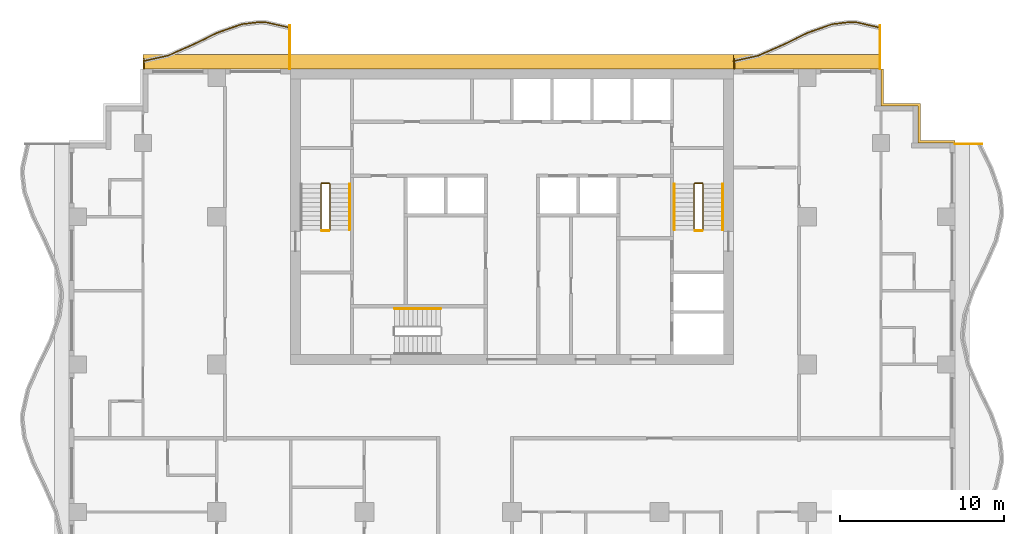
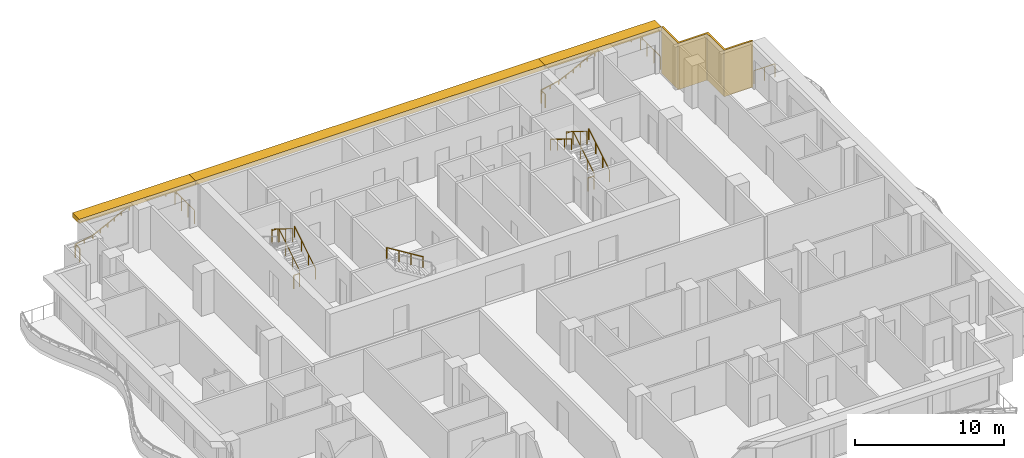
# One storey, part 11 of 11: 15 railings, 4 shading devices.
"""IFC4 building model written with IfcOpenShell, lengths in metres."""

import ifcopenshell
import ifcopenshell.guid

model = None  # the IFC model being written
_history = None  # IfcOwnerHistory: only IFC2X3 demands one
_inside = {}  # id of a spatial element -> (the spatial element, [elements in it])
_under = {}  # id of a project, library or spatial element -> (it, [spatial elements below it])
_declared = {}  # id of a project -> (the project, [libraries it declares])
_typed = {}  # id of a type object -> (the type object, [elements of that type])
_made_of = {}  # id of a material, layer set ... -> (it, [elements and type objects made of it])


def new_model(schema):
    """Start an empty IFC model of exactly this schema.

    Asked for "IFC4X3", IfcOpenShell would pick the latest addendum, in which some entities
    have other attributes; the version numbers below select the first issue.
    IFC2X3 requires an IfcOwnerHistory on every rooted entity: one is made here for all.
    """
    global model, _history
    if schema == "IFC4X3":
        model = ifcopenshell.file(schema_version=(4, 3, 0, 0))
    else:
        model = ifcopenshell.file(schema=schema)
    _inside.clear()
    _under.clear()
    _declared.clear()
    _typed.clear()
    _made_of.clear()
    _history = None
    if model.schema == "IFC2X3":
        org = make("IfcOrganization", Name="unknown")
        user = make(
            "IfcPersonAndOrganization",
            ThePerson=make("IfcPerson", FamilyName="unknown"),
            TheOrganization=org,
        )
        app = make(
            "IfcApplication",
            ApplicationDeveloper=org,
            Version="unknown",
            ApplicationFullName="unknown",
            ApplicationIdentifier="unknown",
        )
        _history = make(
            "IfcOwnerHistory",
            OwningUser=user,
            OwningApplication=app,
            ChangeAction="ADDED",
            CreationDate=0,
        )
    return model


def make(cls, **values):
    """One entity of the class cls with the attributes given. An attribute that is None is left unset."""
    return model.create_entity(
        cls, **{name: value for name, value in values.items() if value is not None}
    )


def rooted(cls, **values):
    """An entity with a GlobalId (a new one), such as an element, a storey or a relation."""
    return make(cls, GlobalId=ifcopenshell.guid.new(), OwnerHistory=_history, **values)


def si_unit(unit_type, name, prefix=None):
    """IfcSIUnit, for example si_unit("LENGTHUNIT", "METRE", prefix="MILLI")."""
    return make("IfcSIUnit", UnitType=unit_type, Prefix=prefix, Name=name)


def assignment(units):
    """IfcUnitAssignment: the units of a project."""
    return None if units is None else make("IfcUnitAssignment", Units=units)


def point(xyz):
    """IfcCartesianPoint."""
    return None if xyz is None else make("IfcCartesianPoint", Coordinates=xyz)


def direction(xyz):
    """IfcDirection."""
    return None if xyz is None else make("IfcDirection", DirectionRatios=xyz)


def frame(location, z_axis=None, x_axis=None):
    """IfcAxis2Placement3D, a coordinate frame: its origin and axes. An axis left out is left unset."""
    return make(
        "IfcAxis2Placement3D",
        Location=point(location),
        Axis=direction(z_axis),
        RefDirection=direction(x_axis),
    )


def frame_2d(location, x_axis=None):
    """IfcAxis2Placement2D, a coordinate frame in the plane: its origin and x axis."""
    return make(
        "IfcAxis2Placement2D", Location=point(location), RefDirection=direction(x_axis)
    )


def origin():
    """The frame at (0, 0, 0) with its axes left unset."""
    return frame((0.0, 0.0, 0.0))


def origin_2d():
    """The frame at (0, 0) in the plane with its x axis left unset."""
    return frame_2d((0.0, 0.0))


def place(relative_to, where):
    """IfcLocalPlacement: puts the frame where relative to a parent placement (None: the world)."""
    return make(
        "IfcLocalPlacement", PlacementRelTo=relative_to, RelativePlacement=where
    )


def context(
    kind, dimensions, precision=None, world=None, true_north=None, identifier=None
):
    """IfcGeometricRepresentationContext, for example the 3D "Model" context."""
    return make(
        "IfcGeometricRepresentationContext",
        ContextIdentifier=identifier,
        ContextType=kind,
        CoordinateSpaceDimension=dimensions,
        Precision=precision,
        WorldCoordinateSystem=world,
        TrueNorth=true_north,
    )


def subcontext(parent, identifier, kind, view, scale=None):
    """IfcGeometricRepresentationSubContext, for example "Body" below "Model"."""
    return make(
        "IfcGeometricRepresentationSubContext",
        ContextIdentifier=identifier,
        ContextType=kind,
        ParentContext=parent,
        TargetScale=scale,
        TargetView=view,
    )


def project(units=None, contexts=None):
    """IfcProject with its units and contexts."""
    return rooted(
        "IfcProject",
        Name="project",
        RepresentationContexts=contexts,
        UnitsInContext=assignment(units),
    )


def spatial(cls, under=None, at=None, **own):
    """A site, building, storey or space (cls), placed at a placement, below another one or the project."""
    s = rooted(cls, ObjectPlacement=at, **own)
    if under is not None:
        _under.setdefault(under.id(), (under, []))[1].append(s)
    return s


def polyline(points):
    """IfcPolyline through the points."""
    return make("IfcPolyline", Points=[point(p) for p in points])


def profile(cls, at=None, kind="AREA", **sizes):
    """A parametric profile (cls). Its sizes go by their IFC names, for example OverallWidth=200.0."""
    return make(cls, ProfileType=kind, Position=at, **sizes)


def rectangle(**sizes):
    """IfcRectangleProfileDef."""
    return profile("IfcRectangleProfileDef", **sizes)


def circle(**sizes):
    """IfcCircleProfileDef."""
    return profile("IfcCircleProfileDef", **sizes)


def outline(outer, holes=None, kind="AREA"):
    """IfcArbitraryClosedProfileDef: a profile drawn as a closed curve; with holes, ...WithVoids."""
    if holes is None:
        return make("IfcArbitraryClosedProfileDef", ProfileType=kind, OuterCurve=outer)
    return make(
        "IfcArbitraryProfileDefWithVoids",
        ProfileType=kind,
        OuterCurve=outer,
        InnerCurves=holes,
    )


def extrude(swept, where, along, depth):
    """IfcExtrudedAreaSolid: the profile swept, set in the frame where, extruded along a direction by depth."""
    return make(
        "IfcExtrudedAreaSolid",
        SweptArea=swept,
        Position=where,
        ExtrudedDirection=direction(along),
        Depth=depth,
    )


def shape(context_of_items, identifier, shape_type, items):
    """IfcShapeRepresentation: the items that make up one representation, for example the "Body"."""
    return make(
        "IfcShapeRepresentation",
        ContextOfItems=context_of_items,
        RepresentationIdentifier=identifier,
        RepresentationType=shape_type,
        Items=items,
    )


def material(Name=None, Category=None):
    """IfcMaterial."""
    return make("IfcMaterial", Name=Name, Category=Category)


def layer(
    of_material, thickness, ventilated=None, Name=None, Category=None, Priority=None
):
    """IfcMaterialLayer: one layer of a wall or slab, of a material (None: an air gap)."""
    return make(
        "IfcMaterialLayer",
        Material=of_material,
        LayerThickness=thickness,
        IsVentilated=ventilated,
        Name=Name,
        Category=Category,
        Priority=Priority,
    )


def layer_set(layers, Name=None):
    """IfcMaterialLayerSet."""
    return make("IfcMaterialLayerSet", MaterialLayers=layers, LayerSetName=Name)


def made_of(thing, what):
    """Note that an element or type object is made of a material, layer set ...; save() writes the relation."""
    if what is not None:
        _made_of.setdefault(what.id(), (what, []))[1].append(thing)
    return thing


def type_object(cls, material=None, **own):
    """A type object (cls), such as IfcWallType, which elements share."""
    return made_of(rooted(cls, **own), material)


def element(
    cls,
    number,
    at=None,
    inside=None,
    cuts=None,
    type_object=None,
    material=None,
    context=None,
    identifier="Body",
    shape_type=None,
    held_by="IfcProductDefinitionShape",
    body=None,
    shapes=None,
    **own,
):
    """One element of the class cls, such as IfcWall. Its Tag is "e" and its number.

    at: its placement. inside: the storey or other place that contains it. cuts: it is an
    opening in that element (IfcRelVoidsElement). A single representation is given by context,
    identifier, shape_type and body (its items); several are given by shapes. held_by: the class
    of the entity that holds the representations. save() writes the other relations.
    """
    e = rooted(cls, Tag="e%d" % number, ObjectPlacement=at, **own)
    if body is not None:
        shapes = [shape(context, identifier, shape_type, body)]
    if shapes is not None:
        e.Representation = make(held_by, Representations=shapes)
    if inside is not None:
        _inside.setdefault(inside.id(), (inside, []))[1].append(e)
    if cuts is not None:
        rooted(
            "IfcRelVoidsElement", RelatingBuildingElement=cuts, RelatedOpeningElement=e
        )
    if type_object is not None:
        _typed.setdefault(type_object.id(), (type_object, []))[1].append(e)
    return made_of(e, material)


def aggregate(whole, parts):
    """IfcRelAggregates: a whole, such as a stair, and the parts it consists of."""
    return rooted("IfcRelAggregates", RelatingObject=whole, RelatedObjects=parts)


def save(model, path):
    """Write the relations noted so far, then the file.

    IfcRelAggregates (storeys below a building ...), IfcRelContainedInSpatialStructure (elements
    in a storey), IfcRelDefinesByType, IfcRelAssociatesMaterial and IfcRelDeclares: one each for
    every whole, place, type object, material and project.
    """
    for whole, parts in _under.values():
        aggregate(whole, parts)
    for where, things in _inside.values():
        rooted(
            "IfcRelContainedInSpatialStructure",
            RelatedElements=things,
            RelatingStructure=where,
        )
    for kind, things in _typed.values():
        rooted("IfcRelDefinesByType", RelatedObjects=things, RelatingType=kind)
    for what, things in _made_of.values():
        rooted("IfcRelAssociatesMaterial", RelatedObjects=things, RelatingMaterial=what)
    for by, libraries in _declared.values():
        rooted("IfcRelDeclares", RelatingContext=by, RelatedDefinitions=libraries)
    model.write(path)


model = new_model("IFC4")

# Units and contexts
model_context = context("Model", 3, precision=1e-05, world=origin(), true_north=direction((0.0, 1.0)))
body_context = subcontext(model_context, "Body", "Model", "MODEL_VIEW")
ifc_project = project(units=[si_unit("LENGTHUNIT", "METRE"), si_unit("AREAUNIT", "SQUARE_METRE"), si_unit("VOLUMEUNIT", "CUBIC_METRE"), si_unit("PLANEANGLEUNIT", "RADIAN"), si_unit("MASSUNIT", "GRAM", prefix="KILO")], contexts=[model_context])

# Site, building, storey
site_placement = place(None, origin())
site = spatial("IfcSite", under=ifc_project, at=site_placement, CompositionType="ELEMENT")
building_placement = place(site_placement, origin())
building = spatial("IfcBuilding", under=site, at=building_placement, Name="Orbiselva Terraces", CompositionType="ELEMENT")
storey_placement = place(building_placement, frame((0.0, 0.0, 184.4)))
storey = spatial("IfcBuildingStorey", under=building, at=storey_placement, Name="L46", CompositionType="ELEMENT", Elevation=184.4)

# Railings
ifc_material_1 = material(Name="Stainless steel", Category="steel")
railing_type_1 = type_object("IfcRailingType", Name="CORE-GUARD-1100", PredefinedType="GUARDRAIL", material=ifc_material_1)
railing_1_placement = place(storey_placement, frame((-11.1, 12.7, 0.172727)))
element("IfcRailing", 1, at=railing_1_placement, inside=storey, type_object=railing_type_1, Name="L46 S1 stair guard 1", PredefinedType="GUARDRAIL", context=body_context, shape_type="SweptSolid", body=[
    extrude(circle(Radius=0.024, at=origin_2d()), frame((0.0, 0.0, 1.081), z_axis=(0.0, 0.851088519012, 0.52502222125), x_axis=(-1.0, 0.0, 0.0)), (0.0, 0.0, 1.0), 3.289905),
    extrude(circle(Radius=0.024, at=origin_2d()), frame((0.0, 2.8, 2.808273), z_axis=(-0.707106781187, 0.707106781187, 0.0), x_axis=(-0.707106781187, -0.707106781187, 0.0)), (0.0, 0.0, 1.0), 0.070711),
    extrude(circle(Radius=0.024, at=origin_2d()), frame((-0.05, 2.85, 2.808273), z_axis=(-1.0, 0.0, 0.0), x_axis=(0.0, -1.0, 0.0)), (0.0, 0.0, 1.0), 0.45),
    extrude(circle(Radius=0.024, at=origin_2d()), frame((-0.5, 2.85, 2.808273), z_axis=(-0.267894925557, -0.267894925557, 0.925453736133), x_axis=(0.707106781187, -0.707106781187, 0.0)), (0.0, 0.0, 1.0), 0.18664),
    extrude(circle(Radius=0.024, at=origin_2d()), frame((-0.55, 2.8, 2.981), z_axis=(0.0, -0.851088519012, 0.52502222125), x_axis=(1.0, 0.0, 0.0)), (0.0, 0.0, 1.0), 3.289905),
    extrude(circle(Radius=0.021, at=origin_2d()), origin(), (0.0, 0.0, 1.0), 1.057),
    extrude(circle(Radius=0.021, at=origin_2d()), frame((0.0, 0.933333, 0.575758)), (0.0, 0.0, 1.0), 1.057),
    extrude(circle(Radius=0.021, at=origin_2d()), frame((0.0, 1.866667, 1.151515)), (0.0, 0.0, 1.0), 1.057),
    extrude(circle(Radius=0.021, at=origin_2d()), frame((0.0, 2.8, 1.727273)), (0.0, 0.0, 1.0), 1.057),
    extrude(circle(Radius=0.021, at=origin_2d()), frame((-0.05, 2.85, 1.727273)), (0.0, 0.0, 1.0), 1.057),
    extrude(circle(Radius=0.021, at=origin_2d()), frame((-0.5, 2.85, 1.727273)), (0.0, 0.0, 1.0), 1.057),
    extrude(circle(Radius=0.021, at=origin_2d()), frame((-0.55, 2.8, 1.9)), (0.0, 0.0, 1.0), 1.057),
    extrude(circle(Radius=0.021, at=origin_2d()), frame((-0.55, 1.866667, 2.475758)), (0.0, 0.0, 1.0), 1.057),
    extrude(circle(Radius=0.021, at=origin_2d()), frame((-0.55, 0.933333, 3.051515)), (0.0, 0.0, 1.0), 1.057),
    extrude(circle(Radius=0.021, at=origin_2d()), frame((-0.55, 0.0, 3.627273)), (0.0, 0.0, 1.0), 1.057),
])
railing_2_placement = place(storey_placement, frame((-11.15, 12.65, 0.0)))
element("IfcRailing", 2, at=railing_2_placement, inside=storey, type_object=railing_type_1, Name="L46 S1 stair guard 2", PredefinedType="GUARDRAIL", context=body_context, shape_type="SweptSolid", body=[
    extrude(circle(Radius=0.024, at=origin_2d()), frame((0.0, 0.0, 1.081), z_axis=(-1.0, 0.0, 0.0), x_axis=(0.0, -1.0, 0.0)), (0.0, 0.0, 1.0), 0.45),
    extrude(circle(Radius=0.021, at=origin_2d()), origin(), (0.0, 0.0, 1.0), 1.057),
    extrude(circle(Radius=0.021, at=origin_2d()), frame((-0.45, 0.0, 0.0)), (0.0, 0.0, 1.0), 1.057),
])
railing_3_placement = place(storey_placement, frame((11.65, 12.7, 0.172727)))
element("IfcRailing", 3, at=railing_3_placement, inside=storey, type_object=railing_type_1, Name="L46 S2 stair guard 1", PredefinedType="GUARDRAIL", context=body_context, shape_type="SweptSolid", body=[
    extrude(circle(Radius=0.024, at=origin_2d()), frame((0.0, 0.0, 1.081), z_axis=(0.0, 0.851088519012, 0.52502222125), x_axis=(-1.0, 0.0, 0.0)), (0.0, 0.0, 1.0), 3.289905),
    extrude(circle(Radius=0.024, at=origin_2d()), frame((0.0, 2.8, 2.808273), z_axis=(-0.707106781187, 0.707106781187, 0.0), x_axis=(-0.707106781187, -0.707106781187, 0.0)), (0.0, 0.0, 1.0), 0.070711),
    extrude(circle(Radius=0.024, at=origin_2d()), frame((-0.05, 2.85, 2.808273), z_axis=(-1.0, 0.0, 0.0), x_axis=(0.0, -1.0, 0.0)), (0.0, 0.0, 1.0), 0.45),
    extrude(circle(Radius=0.024, at=origin_2d()), frame((-0.5, 2.85, 2.808273), z_axis=(-0.267894925557, -0.267894925557, 0.925453736133), x_axis=(0.707106781187, -0.707106781187, 0.0)), (0.0, 0.0, 1.0), 0.18664),
    extrude(circle(Radius=0.024, at=origin_2d()), frame((-0.55, 2.8, 2.981), z_axis=(0.0, -0.851088519012, 0.52502222125), x_axis=(1.0, 0.0, 0.0)), (0.0, 0.0, 1.0), 3.289905),
    extrude(circle(Radius=0.021, at=origin_2d()), origin(), (0.0, 0.0, 1.0), 1.057),
    extrude(circle(Radius=0.021, at=origin_2d()), frame((0.0, 0.933333, 0.575758)), (0.0, 0.0, 1.0), 1.057),
    extrude(circle(Radius=0.021, at=origin_2d()), frame((0.0, 1.866667, 1.151515)), (0.0, 0.0, 1.0), 1.057),
    extrude(circle(Radius=0.021, at=origin_2d()), frame((0.0, 2.8, 1.727273)), (0.0, 0.0, 1.0), 1.057),
    extrude(circle(Radius=0.021, at=origin_2d()), frame((-0.05, 2.85, 1.727273)), (0.0, 0.0, 1.0), 1.057),
    extrude(circle(Radius=0.021, at=origin_2d()), frame((-0.5, 2.85, 1.727273)), (0.0, 0.0, 1.0), 1.057),
    extrude(circle(Radius=0.021, at=origin_2d()), frame((-0.55, 2.8, 1.9)), (0.0, 0.0, 1.0), 1.057),
    extrude(circle(Radius=0.021, at=origin_2d()), frame((-0.55, 1.866667, 2.475758)), (0.0, 0.0, 1.0), 1.057),
    extrude(circle(Radius=0.021, at=origin_2d()), frame((-0.55, 0.933333, 3.051515)), (0.0, 0.0, 1.0), 1.057),
    extrude(circle(Radius=0.021, at=origin_2d()), frame((-0.55, 0.0, 3.627273)), (0.0, 0.0, 1.0), 1.057),
])
railing_4_placement = place(storey_placement, frame((11.6, 12.65, 0.0)))
element("IfcRailing", 4, at=railing_4_placement, inside=storey, type_object=railing_type_1, Name="L46 S2 stair guard 2", PredefinedType="GUARDRAIL", context=body_context, shape_type="SweptSolid", body=[
    extrude(circle(Radius=0.024, at=origin_2d()), frame((0.0, 0.0, 1.081), z_axis=(-1.0, 0.0, 0.0), x_axis=(0.0, -1.0, 0.0)), (0.0, 0.0, 1.0), 0.45),
    extrude(circle(Radius=0.021, at=origin_2d()), origin(), (0.0, 0.0, 1.0), 1.057),
    extrude(circle(Radius=0.021, at=origin_2d()), frame((-0.45, 0.0, 0.0)), (0.0, 0.0, 1.0), 1.057),
])
railing_type_2 = type_object("IfcRailingType", Name="CORE-HANDRAIL-900", PredefinedType="HANDRAIL", material=ifc_material_1)
for number, where, name in (
    (5, (-9.9, 12.7, 0.172727), "L46 S1 stair handrail 1"),
    (6, (12.85, 12.7, 0.172727), "L46 S2 stair handrail 1"),
):
    element("IfcRailing", number, at=place(storey_placement, frame(where)), inside=storey, type_object=railing_type_2, Name=name, PredefinedType="HANDRAIL", context=body_context, shape_type="SweptSolid", body=[
        extrude(circle(Radius=0.024, at=origin_2d()), frame((0.0, 0.0, 0.876), z_axis=(0.0, 0.851088519012, 0.52502222125), x_axis=(-1.0, 0.0, 0.0)), (0.0, 0.0, 1.0), 3.289905),
        extrude(circle(Radius=0.021, at=origin_2d()), origin(), (0.0, 0.0, 1.0), 0.852),
        extrude(circle(Radius=0.021, at=origin_2d()), frame((0.0, 0.933333, 0.575758)), (0.0, 0.0, 1.0), 0.852),
        extrude(circle(Radius=0.021, at=origin_2d()), frame((0.0, 1.866667, 1.151515)), (0.0, 0.0, 1.0), 0.852),
        extrude(circle(Radius=0.021, at=origin_2d()), frame((0.0, 2.8, 1.727273)), (0.0, 0.0, 1.0), 0.852),
    ])
railing_5_placement = place(storey_placement, frame((9.9, 15.5, 2.072727)))
element("IfcRailing", 7, at=railing_5_placement, inside=storey, type_object=railing_type_2, Name="L46 S2 stair handrail 2", PredefinedType="HANDRAIL", context=body_context, shape_type="SweptSolid", body=[
    extrude(circle(Radius=0.024, at=origin_2d()), frame((0.0, 0.0, 0.876), z_axis=(0.0, -0.851088519012, 0.52502222125), x_axis=(1.0, 0.0, 0.0)), (0.0, 0.0, 1.0), 3.289905),
    extrude(circle(Radius=0.021, at=origin_2d()), origin(), (0.0, 0.0, 1.0), 0.852),
    extrude(circle(Radius=0.021, at=origin_2d()), frame((0.0, -0.933333, 0.575758)), (0.0, 0.0, 1.0), 0.852),
    extrude(circle(Radius=0.021, at=origin_2d()), frame((0.0, -1.866667, 1.151515)), (0.0, 0.0, 1.0), 0.852),
    extrude(circle(Radius=0.021, at=origin_2d()), frame((0.0, -2.8, 1.727273)), (0.0, 0.0, 1.0), 0.852),
])
railing_6_placement = place(storey_placement, frame((-4.35, 7.9, 2.072727)))
element("IfcRailing", 8, at=railing_6_placement, inside=storey, type_object=railing_type_2, Name="L46 S3 stair handrail 2", PredefinedType="HANDRAIL", context=body_context, shape_type="SweptSolid", body=[
    extrude(circle(Radius=0.024, at=origin_2d()), frame((0.0, 0.0, 0.876), z_axis=(-0.851088519012, 0.0, 0.52502222125), x_axis=(0.0, -1.0, 0.0)), (0.0, 0.0, 1.0), 3.289905),
    extrude(circle(Radius=0.021, at=origin_2d()), origin(), (0.0, 0.0, 1.0), 0.852),
    extrude(circle(Radius=0.021, at=origin_2d()), frame((-0.933333, 0.0, 0.575758)), (0.0, 0.0, 1.0), 0.852),
    extrude(circle(Radius=0.021, at=origin_2d()), frame((-1.866667, 0.0, 1.151515)), (0.0, 0.0, 1.0), 0.852),
    extrude(circle(Radius=0.021, at=origin_2d()), frame((-2.8, 0.0, 1.727273)), (0.0, 0.0, 1.0), 0.852),
])
ifc_material_2 = material(Name="Bonded two-ply safety glass balustrade, stainless steel posts", Category="steel")
railing_type_3 = type_object("IfcRailingType", Name="ENV-BALUSTRADE-1200", PredefinedType="BALUSTRADE", material=ifc_material_2)
railing_7_placement = place(storey_placement, frame((22.472623, 25.026563, 0.9)))
element("IfcRailing", 9, at=railing_7_placement, inside=storey, type_object=railing_type_3, Name="Balcony balustrade L46 NE", PredefinedType="BALUSTRADE", context=body_context, shape_type="SweptSolid", body=[
    extrude(outline(polyline([(0.028868, 0.0), (0.014434, 0.025), (-0.014434, 0.025), (-0.028868, 0.0), (-0.014434, -0.025), (0.014434, -0.025), (0.028868, 0.0)])), frame((0.0, 0.0, 0.275), z_axis=(-0.975721322437, 0.21901575501, 0.0), x_axis=(-0.21901575501, -0.975721322437, 0.0)), (0.0, 0.0, 1.0), 1.525954),
    extrude(outline(polyline([(0.028868, 0.0), (0.014434, 0.025), (-0.014434, 0.025), (-0.028868, 0.0), (-0.014434, -0.025), (0.014434, -0.025), (0.028868, 0.0)])), frame((-1.488906, 0.334208, 0.275), z_axis=(-0.999224931454, 0.039364150694, 0.0), x_axis=(-0.039364150694, -0.999224931454, 0.0)), (0.0, 0.0, 1.0), 0.354206),
    extrude(outline(polyline([(0.028868, 0.0), (0.014434, 0.025), (-0.014434, 0.025), (-0.028868, 0.0), (-0.014434, -0.025), (0.014434, -0.025), (0.028868, 0.0)])), frame((-1.842837, 0.348151, 0.275), z_axis=(-0.993309658409, -0.115481264762, 0.0), x_axis=(0.115481264762, -0.993309658409, 0.0)), (0.0, 0.0, 1.0), 1.10902),
    extrude(outline(polyline([(0.028868, 0.0), (0.014434, 0.025), (-0.014434, 0.025), (-0.028868, 0.0), (-0.014434, -0.025), (0.014434, -0.025), (0.028868, 0.0)])), frame((-2.944437, 0.22008, 0.275), z_axis=(-0.943972277814, -0.330024754707, 0.0), x_axis=(0.330024754707, -0.943972277814, 0.0)), (0.0, 0.0, 1.0), 1.567807),
    extrude(outline(polyline([(0.028868, 0.0), (0.014434, 0.025), (-0.014434, 0.025), (-0.028868, 0.0), (-0.014434, -0.025), (0.014434, -0.025), (0.028868, 0.0)])), frame((-4.424403, -0.297335, 0.275), z_axis=(-0.89857890432, -0.438811978768, 0.0), x_axis=(0.438811978768, -0.89857890432, 0.0)), (0.0, 0.0, 1.0), 1.66438),
    extrude(outline(polyline([(0.028868, 0.0), (0.014434, 0.025), (-0.014434, 0.025), (-0.028868, 0.0), (-0.014434, -0.025), (0.014434, -0.025), (0.028868, 0.0)])), frame((-5.91998, -1.027685, 0.275), z_axis=(-0.915133527237, -0.403150874148, 0.0), x_axis=(0.403150874148, -0.915133527237, 0.0)), (0.0, 0.0, 1.0), 1.653736),
    extrude(outline(polyline([(0.028868, 0.0), (0.014434, 0.025), (-0.014434, 0.025), (-0.028868, 0.0), (-0.014434, -0.025), (0.014434, -0.025), (0.028868, 0.0)])), frame((-7.433369, -1.69439, 0.275), z_axis=(-0.975721349543, -0.219015634252, 0.0), x_axis=(0.219015634252, -0.975721349543, 0.0)), (0.0, 0.0, 1.0), 1.549497),
    extrude(rectangle(XDim=0.05, YDim=0.05, at=origin_2d()), origin(), (0.0, 0.0, 1.0), 0.25),
    extrude(rectangle(XDim=0.05, YDim=0.05, at=origin_2d()), frame((-0.744453, 0.167104, 0.0)), (0.0, 0.0, 1.0), 0.25),
    extrude(rectangle(XDim=0.05, YDim=0.05, at=origin_2d()), frame((-1.488906, 0.334208, 0.0)), (0.0, 0.0, 1.0), 0.25),
    extrude(rectangle(XDim=0.05, YDim=0.05, at=origin_2d()), frame((-1.842837, 0.348151, 0.0)), (0.0, 0.0, 1.0), 0.25),
    extrude(rectangle(XDim=0.05, YDim=0.05, at=origin_2d()), frame((-2.944437, 0.22008, 0.0)), (0.0, 0.0, 1.0), 0.25),
    extrude(rectangle(XDim=0.05, YDim=0.05, at=origin_2d()), frame((-3.68442, -0.038628, 0.0)), (0.0, 0.0, 1.0), 0.25),
    extrude(rectangle(XDim=0.05, YDim=0.05, at=origin_2d()), frame((-4.424403, -0.297335, 0.0)), (0.0, 0.0, 1.0), 0.25),
    extrude(rectangle(XDim=0.05, YDim=0.05, at=origin_2d()), frame((-5.172191, -0.66251, 0.0)), (0.0, 0.0, 1.0), 0.25),
    extrude(rectangle(XDim=0.05, YDim=0.05, at=origin_2d()), frame((-5.91998, -1.027685, 0.0)), (0.0, 0.0, 1.0), 0.25),
    extrude(rectangle(XDim=0.05, YDim=0.05, at=origin_2d()), frame((-6.676674, -1.361037, 0.0)), (0.0, 0.0, 1.0), 0.25),
    extrude(rectangle(XDim=0.05, YDim=0.05, at=origin_2d()), frame((-7.433369, -1.69439, 0.0)), (0.0, 0.0, 1.0), 0.25),
    extrude(rectangle(XDim=0.05, YDim=0.05, at=origin_2d()), frame((-8.189307, -1.864072, 0.0)), (0.0, 0.0, 1.0), 0.25),
    extrude(rectangle(XDim=0.05, YDim=0.05, at=origin_2d()), frame((-8.945246, -2.033754, 0.0)), (0.0, 0.0, 1.0), 0.25),
])
railing_8_placement = place(storey_placement, frame((-13.527377, 25.026563, 0.9)))
element("IfcRailing", 10, at=railing_8_placement, inside=storey, type_object=railing_type_3, Name="Balcony balustrade L46 NW", PredefinedType="BALUSTRADE", context=body_context, shape_type="SweptSolid", body=[
    extrude(outline(polyline([(0.028868, 0.0), (0.014434, 0.025), (-0.014434, 0.025), (-0.028868, 0.0), (-0.014434, -0.025), (0.014434, -0.025), (0.028868, 0.0)])), frame((0.0, 0.0, 0.275), z_axis=(-0.975721322437, 0.21901575501, 0.0), x_axis=(-0.21901575501, -0.975721322437, 0.0)), (0.0, 0.0, 1.0), 1.525954),
    extrude(outline(polyline([(0.028868, 0.0), (0.014434, 0.025), (-0.014434, 0.025), (-0.028868, 0.0), (-0.014434, -0.025), (0.014434, -0.025), (0.028868, 0.0)])), frame((-1.488906, 0.334208, 0.275), z_axis=(-0.999224931454, 0.039364150694, 0.0), x_axis=(-0.039364150694, -0.999224931454, 0.0)), (0.0, 0.0, 1.0), 0.354206),
    extrude(outline(polyline([(0.028868, 0.0), (0.014434, 0.025), (-0.014434, 0.025), (-0.028868, 0.0), (-0.014434, -0.025), (0.014434, -0.025), (0.028868, 0.0)])), frame((-1.842837, 0.348151, 0.275), z_axis=(-0.993309658409, -0.115481264762, 0.0), x_axis=(0.115481264762, -0.993309658409, 0.0)), (0.0, 0.0, 1.0), 1.10902),
    extrude(outline(polyline([(0.028868, 0.0), (0.014434, 0.025), (-0.014434, 0.025), (-0.028868, 0.0), (-0.014434, -0.025), (0.014434, -0.025), (0.028868, 0.0)])), frame((-2.944437, 0.22008, 0.275), z_axis=(-0.943972277814, -0.330024754707, 0.0), x_axis=(0.330024754707, -0.943972277814, 0.0)), (0.0, 0.0, 1.0), 1.567807),
    extrude(outline(polyline([(0.028868, 0.0), (0.014434, 0.025), (-0.014434, 0.025), (-0.028868, 0.0), (-0.014434, -0.025), (0.014434, -0.025), (0.028868, 0.0)])), frame((-4.424403, -0.297335, 0.275), z_axis=(-0.89857890432, -0.438811978768, 0.0), x_axis=(0.438811978768, -0.89857890432, 0.0)), (0.0, 0.0, 1.0), 1.66438),
    extrude(outline(polyline([(0.028868, 0.0), (0.014434, 0.025), (-0.014434, 0.025), (-0.028868, 0.0), (-0.014434, -0.025), (0.014434, -0.025), (0.028868, 0.0)])), frame((-5.91998, -1.027685, 0.275), z_axis=(-0.915133527237, -0.403150874148, 0.0), x_axis=(0.403150874148, -0.915133527237, 0.0)), (0.0, 0.0, 1.0), 1.653736),
    extrude(outline(polyline([(0.028868, 0.0), (0.014434, 0.025), (-0.014434, 0.025), (-0.028868, 0.0), (-0.014434, -0.025), (0.014434, -0.025), (0.028868, 0.0)])), frame((-7.433369, -1.69439, 0.275), z_axis=(-0.975721349543, -0.219015634252, 0.0), x_axis=(0.219015634252, -0.975721349543, 0.0)), (0.0, 0.0, 1.0), 1.549497),
    extrude(rectangle(XDim=0.05, YDim=0.05, at=origin_2d()), origin(), (0.0, 0.0, 1.0), 0.25),
    extrude(rectangle(XDim=0.05, YDim=0.05, at=origin_2d()), frame((-0.744453, 0.167104, 0.0)), (0.0, 0.0, 1.0), 0.25),
    extrude(rectangle(XDim=0.05, YDim=0.05, at=origin_2d()), frame((-1.488906, 0.334208, 0.0)), (0.0, 0.0, 1.0), 0.25),
    extrude(rectangle(XDim=0.05, YDim=0.05, at=origin_2d()), frame((-1.842837, 0.348151, 0.0)), (0.0, 0.0, 1.0), 0.25),
    extrude(rectangle(XDim=0.05, YDim=0.05, at=origin_2d()), frame((-2.944437, 0.22008, 0.0)), (0.0, 0.0, 1.0), 0.25),
    extrude(rectangle(XDim=0.05, YDim=0.05, at=origin_2d()), frame((-3.68442, -0.038628, 0.0)), (0.0, 0.0, 1.0), 0.25),
    extrude(rectangle(XDim=0.05, YDim=0.05, at=origin_2d()), frame((-4.424403, -0.297335, 0.0)), (0.0, 0.0, 1.0), 0.25),
    extrude(rectangle(XDim=0.05, YDim=0.05, at=origin_2d()), frame((-5.172192, -0.66251, 0.0)), (0.0, 0.0, 1.0), 0.25),
    extrude(rectangle(XDim=0.05, YDim=0.05, at=origin_2d()), frame((-5.91998, -1.027685, 0.0)), (0.0, 0.0, 1.0), 0.25),
    extrude(rectangle(XDim=0.05, YDim=0.05, at=origin_2d()), frame((-6.676675, -1.361037, 0.0)), (0.0, 0.0, 1.0), 0.25),
    extrude(rectangle(XDim=0.05, YDim=0.05, at=origin_2d()), frame((-7.433369, -1.69439, 0.0)), (0.0, 0.0, 1.0), 0.25),
    extrude(rectangle(XDim=0.05, YDim=0.05, at=origin_2d()), frame((-8.189308, -1.864072, 0.0)), (0.0, 0.0, 1.0), 0.25),
    extrude(rectangle(XDim=0.05, YDim=0.05, at=origin_2d()), frame((-8.945246, -2.033754, 0.0)), (0.0, 0.0, 1.0), 0.25),
])
ifc_material_3 = material(Name="Stainless steel rail and posts", Category="steel")
railing_type_4 = type_object("IfcRailingType", Name="ENV-GUARD-1105", PredefinedType="BALUSTRADE", material=ifc_material_3)
railing_9_placement = place(storey_placement, frame((28.642123, 17.94, 0.0)))
element("IfcRailing", 11, at=railing_9_placement, inside=storey, type_object=railing_type_4, Name="Balcony end guard L46 E", PredefinedType="BALUSTRADE", context=body_context, shape_type="SweptSolid", body=[
    extrude(outline(polyline([(0.028868, 0.0), (0.014434, 0.025), (-0.014434, 0.025), (-0.028868, 0.0), (-0.014434, -0.025), (0.014434, -0.025), (0.028868, 0.0)])), frame((0.0, 0.0, 1.08), z_axis=(-1.0, 0.0, 0.0), x_axis=(0.0, -1.0, 0.0)), (0.0, 0.0, 1.0), 1.617123),
    extrude(rectangle(XDim=0.05, YDim=0.05, at=origin_2d()), origin(), (0.0, 0.0, 1.0), 1.055),
    extrude(rectangle(XDim=0.05, YDim=0.05, at=origin_2d()), frame((-0.808562, 0.0, 0.0)), (0.0, 0.0, 1.0), 1.055),
    extrude(rectangle(XDim=0.05, YDim=0.05, at=origin_2d()), frame((-1.617123, 0.0, 0.0)), (0.0, 0.0, 1.0), 1.055),
])
railing_10_placement = place(storey_placement, frame((22.44, 25.169584, 0.0)))
element("IfcRailing", 12, at=railing_10_placement, inside=storey, type_object=railing_type_4, Name="Balcony end guard L46 NE", PredefinedType="BALUSTRADE", context=body_context, shape_type="SweptSolid", body=[
    extrude(outline(polyline([(0.028868, 0.0), (0.014434, 0.025), (-0.014434, 0.025), (-0.028868, 0.0), (-0.014434, -0.025), (0.014434, -0.025), (0.028868, 0.0)])), frame((0.0, 0.0, 1.08), z_axis=(0.0, -1.0, 0.0), x_axis=(1.0, 0.0, 0.0)), (0.0, 0.0, 1.0), 2.644584),
    extrude(rectangle(XDim=0.05, YDim=0.05, at=origin_2d()), origin(), (0.0, 0.0, 1.0), 1.055),
    extrude(rectangle(XDim=0.05, YDim=0.05, at=origin_2d()), frame((0.0, -0.881528, 0.0)), (0.0, 0.0, 1.0), 1.055),
    extrude(rectangle(XDim=0.05, YDim=0.05, at=origin_2d()), frame((0.0, -1.763056, 0.0)), (0.0, 0.0, 1.0), 1.055),
    extrude(rectangle(XDim=0.05, YDim=0.05, at=origin_2d()), frame((0.0, -2.644584, 0.0)), (0.0, 0.0, 1.0), 1.055),
])
railing_11_placement = place(storey_placement, frame((13.56, 23.119866, 0.0)))
element("IfcRailing", 13, at=railing_11_placement, inside=storey, type_object=railing_type_4, Name="Balcony end guard L46 NE", PredefinedType="BALUSTRADE", context=body_context, shape_type="SweptSolid", body=[
    extrude(outline(polyline([(0.028868, 0.0), (0.014434, 0.025), (-0.014434, 0.025), (-0.028868, 0.0), (-0.014434, -0.025), (0.014434, -0.025), (0.028868, 0.0)])), frame((0.0, 0.0, 1.08), z_axis=(0.0, -1.0, 0.0), x_axis=(1.0, 0.0, 0.0)), (0.0, 0.0, 1.0), 0.594866),
    extrude(rectangle(XDim=0.05, YDim=0.05, at=origin_2d()), origin(), (0.0, 0.0, 1.0), 1.055),
    extrude(rectangle(XDim=0.05, YDim=0.05, at=origin_2d()), frame((0.0, -0.594866, 0.0)), (0.0, 0.0, 1.0), 1.055),
])
railing_12_placement = place(storey_placement, frame((-13.56, 25.169584, 0.0)))
element("IfcRailing", 14, at=railing_12_placement, inside=storey, type_object=railing_type_4, Name="Balcony end guard L46 NW", PredefinedType="BALUSTRADE", context=body_context, shape_type="SweptSolid", body=[
    extrude(outline(polyline([(0.028868, 0.0), (0.014434, 0.025), (-0.014434, 0.025), (-0.028868, 0.0), (-0.014434, -0.025), (0.014434, -0.025), (0.028868, 0.0)])), frame((0.0, 0.0, 1.08), z_axis=(0.0, -1.0, 0.0), x_axis=(1.0, 0.0, 0.0)), (0.0, 0.0, 1.0), 2.644584),
    extrude(rectangle(XDim=0.05, YDim=0.05, at=origin_2d()), origin(), (0.0, 0.0, 1.0), 1.055),
    extrude(rectangle(XDim=0.05, YDim=0.05, at=origin_2d()), frame((0.0, -0.881528, 0.0)), (0.0, 0.0, 1.0), 1.055),
    extrude(rectangle(XDim=0.05, YDim=0.05, at=origin_2d()), frame((0.0, -1.763056, 0.0)), (0.0, 0.0, 1.0), 1.055),
    extrude(rectangle(XDim=0.05, YDim=0.05, at=origin_2d()), frame((0.0, -2.644584, 0.0)), (0.0, 0.0, 1.0), 1.055),
])
railing_13_placement = place(storey_placement, frame((-22.44, 23.119866, 0.0)))
element("IfcRailing", 15, at=railing_13_placement, inside=storey, type_object=railing_type_4, Name="Balcony end guard L46 NW", PredefinedType="BALUSTRADE", context=body_context, shape_type="SweptSolid", body=[
    extrude(outline(polyline([(0.028868, 0.0), (0.014434, 0.025), (-0.014434, 0.025), (-0.028868, 0.0), (-0.014434, -0.025), (0.014434, -0.025), (0.028868, 0.0)])), frame((0.0, 0.0, 1.08), z_axis=(0.0, -1.0, 0.0), x_axis=(1.0, 0.0, 0.0)), (0.0, 0.0, 1.0), 0.594866),
    extrude(rectangle(XDim=0.05, YDim=0.05, at=origin_2d()), origin(), (0.0, 0.0, 1.0), 1.055),
    extrude(rectangle(XDim=0.05, YDim=0.05, at=origin_2d()), frame((0.0, -0.594866, 0.0)), (0.0, 0.0, 1.0), 1.055),
])

# Shading devices
ifc_material_4 = material(Name="Terracotta louvre screen", Category="masonry")
ifc_layer_1 = layer(ifc_material_4, 0.15)
ifc_layer_set_1 = layer_set([ifc_layer_1], Name="Terracotta louvre screen")
shading_device_type_1 = type_object("IfcShadingDeviceType", Name="ENV-SCREEN-150", PredefinedType="USERDEFINED", material=ifc_layer_set_1)
shading_device_1_placement = place(storey_placement, frame((0.0, 0.0, -0.3)))
element("IfcShadingDevice", 16, at=shading_device_1_placement, inside=storey, type_object=shading_device_type_1, Name="Louvre screen L46 NE", ObjectType="SCREEN", PredefinedType="USERDEFINED", context=body_context, shape_type="SweptSolid", body=[
    extrude(outline(polyline([(27.0, 18.15), (24.9, 18.15), (24.9, 20.4), (22.65, 20.4), (22.65, 22.5), (22.5, 22.5), (22.5, 20.25), (24.75, 20.25), (24.75, 18.0), (27.0, 18.0), (27.0, 18.15)])), origin(), (0.0, 0.0, 1.0), 3.8),
])
ifc_material_5 = material(Name="Terracotta baguette sunshade", Category="masonry")
ifc_layer_2 = layer(ifc_material_5, 0.35)
ifc_layer_set_2 = layer_set([ifc_layer_2], Name="Terracotta baguette sunshade")
shading_device_type_2 = type_object("IfcShadingDeviceType", Name="ENV-SUNSHADE-900x350", PredefinedType="USERDEFINED", material=ifc_layer_set_2)
shading_device_2_placement = place(storey_placement, frame((0.0, 0.0, 3.15)))
element("IfcShadingDevice", 17, at=shading_device_2_placement, inside=storey, type_object=shading_device_type_2, Name="Sunshade band L46 NE", ObjectType="SUNSHADE", PredefinedType="USERDEFINED", context=body_context, shape_type="SweptSolid", body=[
    extrude(outline(polyline([(22.5, 23.4), (13.5, 23.4), (13.5, 22.5), (22.5, 22.5), (22.5, 23.4)])), origin(), (0.0, 0.0, 1.0), 0.35),
])
shading_device_3_placement = place(storey_placement, frame((0.0, 0.0, 3.15)))
element("IfcShadingDevice", 18, at=shading_device_3_placement, inside=storey, type_object=shading_device_type_2, Name="Sunshade band L46 CORE NORTH", ObjectType="SUNSHADE", PredefinedType="USERDEFINED", context=body_context, shape_type="SweptSolid", body=[
    extrude(outline(polyline([(13.5, 23.4), (-13.5, 23.4), (-13.5, 22.5), (13.5, 22.5), (13.5, 23.4)])), origin(), (0.0, 0.0, 1.0), 0.35),
])
shading_device_4_placement = place(storey_placement, frame((0.0, 0.0, 3.15)))
element("IfcShadingDevice", 19, at=shading_device_4_placement, inside=storey, type_object=shading_device_type_2, Name="Sunshade band L46 NW", ObjectType="SUNSHADE", PredefinedType="USERDEFINED", context=body_context, shape_type="SweptSolid", body=[
    extrude(outline(polyline([(-13.5, 23.4), (-22.5, 23.4), (-22.5, 22.5), (-13.5, 22.5), (-13.5, 23.4)])), origin(), (0.0, 0.0, 1.0), 0.35),
])

save(model, "model.ifc")
